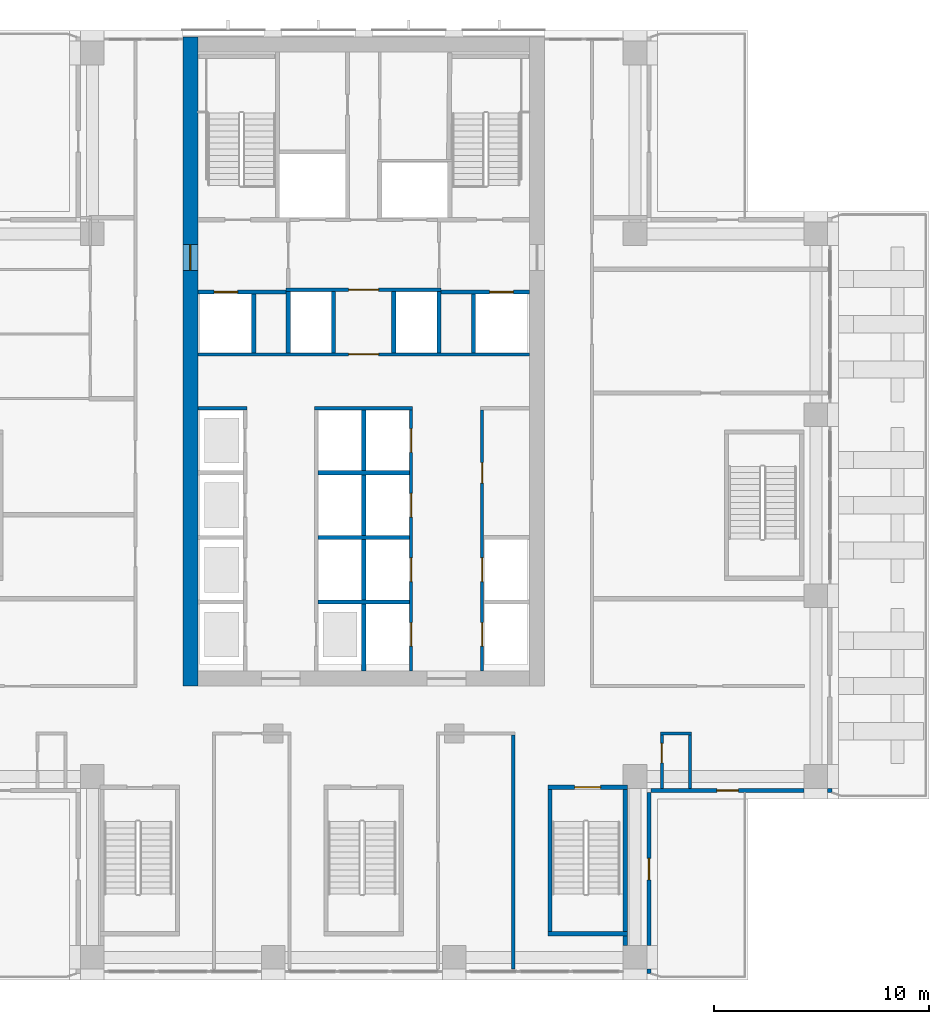
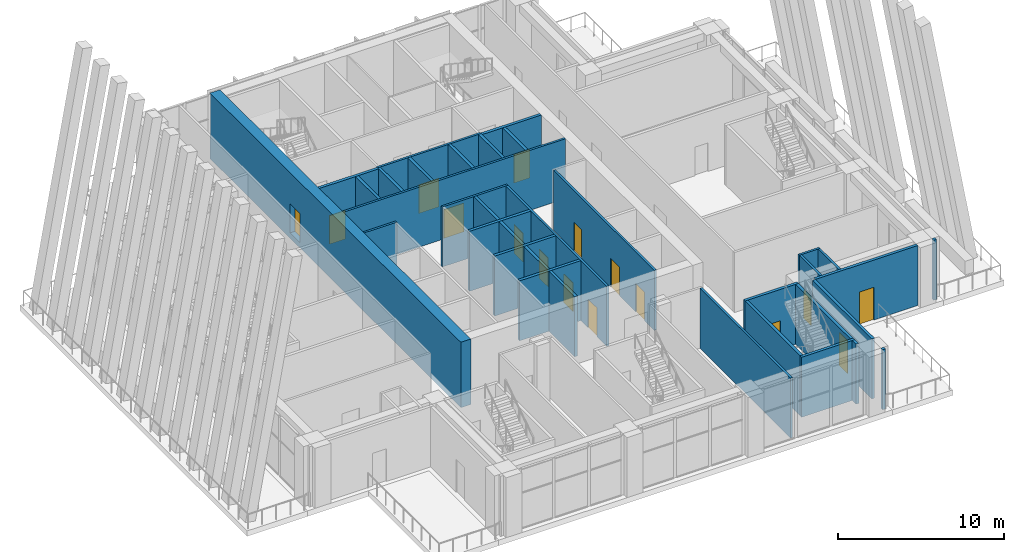
# One storey, part 10 of 19: 31 walls, 16 doors, 16 openings.
"""IFC4 building model written with IfcOpenShell, lengths in metres."""

from ifc_helpers import new_model, si_unit, direction, frame, frame_2d, origin, place, context, subcontext, project, spatial, rectangle, extrude, material, layer, layer_set, type_object, element, fill, save


model = new_model("IFC4")

# Units and contexts
model_context = context("Model", 3, precision=1e-05, world=origin(), true_north=direction((0.0, 1.0)))
body_context = subcontext(model_context, "Body", "Model", "MODEL_VIEW")
ifc_project = project(units=[si_unit("LENGTHUNIT", "METRE"), si_unit("AREAUNIT", "SQUARE_METRE"), si_unit("VOLUMEUNIT", "CUBIC_METRE"), si_unit("PLANEANGLEUNIT", "RADIAN"), si_unit("MASSUNIT", "GRAM", prefix="KILO")], contexts=[model_context])

# Site, building, storey
site_placement = place(None, origin())
site = spatial("IfcSite", under=ifc_project, at=site_placement, CompositionType="ELEMENT")
building_placement = place(site_placement, origin())
building = spatial("IfcBuilding", under=site, at=building_placement, Name="Vermilion Ogive Tower", CompositionType="ELEMENT")
storey_placement = place(building_placement, frame((0.0, 0.0, 128.300048828125)))
storey = spatial("IfcBuildingStorey", under=building, at=storey_placement, Name="L32", CompositionType="ELEMENT", Elevation=128.300048828125)

# Walls
ifc_material_1 = material(Name="Gypsum board partition on steel studs", Category="steel")
ifc_layer_1 = layer(ifc_material_1, 0.14990234375)
ifc_layer_set_1 = layer_set([ifc_layer_1], Name="Partition 150 corridor")
wall_type_1 = type_object("IfcWallType", Name="Partition 150 corridor", PredefinedType="PARTITIONING", material=ifc_layer_set_1)
wall_1_placement = place(storey_placement, frame((13.77490234375, -10.60009765625, 0.0), z_axis=(0.0, 0.0, 1.0), x_axis=(1.0, 0.0, 0.0)))
element("IfcWall", 1, at=wall_1_placement, inside=storey, type_object=wall_type_1, Name="L32-FS-W-W004", PredefinedType="PARTITIONING", context=body_context, shape_type="SweptSolid", body=[
    extrude(rectangle(XDim=1.4501953125, YDim=0.14990234375, at=frame_2d((0.72509765625, 0.0))), origin(), (0.0, 0.0, 1.0), 4.39990234375),
])
wall_2_placement = place(storey_placement, frame((6.949951171875, -21.550048828125, 0.0), z_axis=(0.0, 0.0, 1.0), x_axis=(0.0, 1.0, 0.0)))
element("IfcWall", 2, at=wall_2_placement, inside=storey, type_object=wall_type_1, Name="L32-FS-W-W027", PredefinedType="PARTITIONING", context=body_context, shape_type="SweptSolid", body=[
    extrude(rectangle(XDim=10.875, YDim=0.14990234375, at=frame_2d((5.4375, 0.0))), origin(), (0.0, 0.0, 1.0), 4.39990234375),
])

# Wall, opening, door
wall_3_placement = place(storey_placement, frame((13.85009765625, -13.14990234375, 0.0), z_axis=(0.0, 0.0, 1.0), x_axis=(0.0, 1.0, 0.0)))
wall_3 = element("IfcWall", 3, at=wall_3_placement, inside=storey, type_object=wall_type_1, Name="L32-FS-W-W029", PredefinedType="PARTITIONING", context=body_context, shape_type="SweptSolid", body=[
    extrude(rectangle(XDim=2.474853515625, YDim=0.14990234375, at=frame_2d((1.2373046875, 0.0))), origin(), (0.0, 0.0, 1.0), 4.39990234375),
])
opening_1_placement = place(wall_3_placement, frame((1.1875, 0.0, 0.0)))
opening_1 = element("IfcOpeningElement", 4, at=opening_1_placement, cuts=wall_3, Name="Opening L32S018", PredefinedType="OPENING", context=body_context, shape_type="SweptSolid", body=[
    extrude(rectangle(XDim=0.89990234375, YDim=2.10009765625, at=frame_2d((0.449951171875, 1.050048828125))), frame((0.0, 0.0849609375, 0.0), z_axis=(0.0, -1.0, 0.0), x_axis=(1.0, 0.0, 0.0)), (0.0, 0.0, 1.0), 0.169921875),
])
ifc_material_2 = material(Name="Timber door leaf", Category="wood")
door_type_1 = type_object("IfcDoorType", Name="Room door 900 x 2100 FD30", OperationType="SINGLE_SWING_LEFT", PredefinedType="DOOR", material=ifc_material_2)
door_1_placement = place(opening_1_placement, origin())
door_1 = element("IfcDoor", 5, at=door_1_placement, inside=storey, type_object=door_type_1, Name="L32-FS-D-D018", OperationType="SINGLE_SWING_RIGHT", OverallHeight=2.10009765625, OverallWidth=0.89990234375, PredefinedType="DOOR", context=body_context, shape_type="SweptSolid", body=[
    extrude(rectangle(XDim=0.89990234375, YDim=2.10009765625, at=frame_2d((0.449951171875, 1.050048828125))), frame((0.0, 0.02490234375, 0.0), z_axis=(0.0, -1.0, 0.0), x_axis=(1.0, 0.0, 0.0)), (0.0, 0.0, 1.0), 0.050048828125),
])
fill(opening_1, door_1)

# Walls
wall_4_placement = place(storey_placement, frame((15.14990234375, -13.14990234375, 0.0), z_axis=(0.0, 0.0, 1.0), x_axis=(0.0, 1.0, 0.0)))
element("IfcWall", 6, at=wall_4_placement, inside=storey, type_object=wall_type_1, Name="L32-FS-W-W030", PredefinedType="PARTITIONING", context=body_context, shape_type="SweptSolid", body=[
    extrude(rectangle(XDim=2.474853515625, YDim=0.14990234375, at=frame_2d((1.2373046875, 0.0))), origin(), (0.0, 0.0, 1.0), 4.39990234375),
])
wall_5_placement = place(storey_placement, frame((-7.698974609375, 4.5, 0.0), z_axis=(0.0, 0.0, 1.0), x_axis=(1.0, 0.0, 0.0)))
element("IfcWall", 7, at=wall_5_placement, inside=storey, type_object=wall_type_1, Name="L32-CK-W-W009", PredefinedType="PARTITIONING", context=body_context, shape_type="SweptSolid", body=[
    extrude(rectangle(XDim=2.27392578125, YDim=0.14990234375, at=frame_2d((1.136962890625, 0.0))), origin(), (0.0, 0.0, 1.0), 4.39990234375),
])
wall_6_placement = place(storey_placement, frame((-2.27490234375, 4.5, 0.0), z_axis=(0.0, 0.0, 1.0), x_axis=(1.0, 0.0, 0.0)))
element("IfcWall", 8, at=wall_6_placement, inside=storey, type_object=wall_type_1, Name="L32-CK-W-W010", PredefinedType="PARTITIONING", context=body_context, shape_type="SweptSolid", body=[
    extrude(rectangle(XDim=4.5498046875, YDim=0.14990234375, at=frame_2d((2.27490234375, 0.0))), origin(), (0.0, 0.0, 1.0), 4.39990234375),
])

# Wall, opening, door
wall_7_placement = place(storey_placement, frame((-7.698974609375, 7.0, 0.0), z_axis=(0.0, 0.0, 1.0), x_axis=(1.0, 0.0, 0.0)))
wall_7 = element("IfcWall", 9, at=wall_7_placement, inside=storey, type_object=wall_type_1, Name="L32-CK-W-W012", PredefinedType="PARTITIONING", context=body_context, shape_type="SweptSolid", body=[
    extrude(rectangle(XDim=15.39794921875, YDim=0.14990234375, at=frame_2d((7.698974609375, 0.0))), origin(), (0.0, 0.0, 1.0), 4.39990234375),
])
opening_2_placement = place(wall_7_placement, frame((6.9990234375, 0.0, 0.0)))
opening_2 = element("IfcOpeningElement", 10, at=opening_2_placement, cuts=wall_7, Name="Opening DAN003", PredefinedType="OPENING", context=body_context, shape_type="SweptSolid", body=[
    extrude(rectangle(XDim=1.39990234375, YDim=2.10009765625, at=frame_2d((0.699951171875, 1.050048828125))), frame((0.0, 0.0849609375, 0.0), z_axis=(0.0, -1.0, 0.0), x_axis=(1.0, 0.0, 0.0)), (0.0, 0.0, 1.0), 0.169921875),
])
ifc_material_3 = material(Name="Timber door leaf", Category="wood")
door_type_2 = type_object("IfcDoorType", Name="Lobby door 1400 x 2100 FD60S", OperationType="SINGLE_SWING_LEFT", PredefinedType="DOOR", material=ifc_material_3)
door_2_placement = place(opening_2_placement, origin())
door_2 = element("IfcDoor", 11, at=door_2_placement, inside=storey, type_object=door_type_2, Name="L32-CK-D-D017", OperationType="SINGLE_SWING_RIGHT", OverallHeight=2.10009765625, OverallWidth=1.39990234375, PredefinedType="DOOR", context=body_context, shape_type="SweptSolid", body=[
    extrude(rectangle(XDim=1.39990234375, YDim=2.10009765625, at=frame_2d((0.699951171875, 1.050048828125))), frame((0.0, 0.02490234375, 0.0), z_axis=(0.0, -1.0, 0.0), x_axis=(1.0, 0.0, 0.0)), (0.0, 0.0, 1.0), 0.050048828125),
])
fill(opening_2, door_2)

wall_8_placement = place(storey_placement, frame((-3.60009765625, 10.0, 0.0), z_axis=(0.0, 0.0, 1.0), x_axis=(1.0, 0.0, 0.0)))
wall_8 = element("IfcWall", 12, at=wall_8_placement, inside=storey, type_object=wall_type_1, Name="L32-CK-W-W015", PredefinedType="PARTITIONING", context=body_context, shape_type="SweptSolid", body=[
    extrude(rectangle(XDim=7.2001953125, YDim=0.14990234375, at=frame_2d((3.60009765625, 0.0))), origin(), (0.0, 0.0, 1.0), 4.39990234375),
])
opening_3_placement = place(wall_8_placement, frame((2.900146484375, 0.0, 0.0)))
opening_3 = element("IfcOpeningElement", 13, at=opening_3_placement, cuts=wall_8, Name="Opening DAN004", PredefinedType="OPENING", context=body_context, shape_type="SweptSolid", body=[
    extrude(rectangle(XDim=1.39990234375, YDim=2.10009765625, at=frame_2d((0.699951171875, 1.050048828125))), frame((0.0, 0.0849609375, 0.0), z_axis=(0.0, -1.0, 0.0), x_axis=(1.0, 0.0, 0.0)), (0.0, 0.0, 1.0), 0.169921875),
])
door_3_placement = place(opening_3_placement, origin())
door_3 = element("IfcDoor", 14, at=door_3_placement, inside=storey, type_object=door_type_2, Name="L32-CK-D-D018", OperationType="SINGLE_SWING_RIGHT", OverallHeight=2.10009765625, OverallWidth=1.39990234375, PredefinedType="DOOR", context=body_context, shape_type="SweptSolid", body=[
    extrude(rectangle(XDim=1.39990234375, YDim=2.10009765625, at=frame_2d((0.699951171875, 1.050048828125))), frame((0.0, 0.02490234375, 0.0), z_axis=(0.0, -1.0, 0.0), x_axis=(1.0, 0.0, 0.0)), (0.0, 0.0, 1.0), 0.050048828125),
])
fill(opening_3, door_3)

# Wall, openings, doors
wall_9_placement = place(storey_placement, frame((2.199951171875, -7.698974609375, 0.0), z_axis=(0.0, 0.0, 1.0), x_axis=(0.0, 1.0, 0.0)))
wall_9 = element("IfcWall", 15, at=wall_9_placement, inside=storey, type_object=wall_type_1, Name="L32-CK-W-W033", PredefinedType="PARTITIONING", context=body_context, shape_type="SweptSolid", body=[
    extrude(rectangle(XDim=12.1240234375, YDim=0.14990234375, at=frame_2d((6.06201171875, 0.0))), origin(), (0.0, 0.0, 1.0), 4.39990234375),
])
opening_4_placement = place(wall_9_placement, frame((1.14892578125, 0.0, 0.0)))
opening_4 = element("IfcOpeningElement", 16, at=opening_4_placement, cuts=wall_9, Name="Opening DAN021", PredefinedType="OPENING", context=body_context, shape_type="SweptSolid", body=[
    extrude(rectangle(XDim=1.10009765625, YDim=2.10009765625, at=frame_2d((0.550048828125, 1.050048828125))), frame((0.0, 0.0849609375, 0.0), z_axis=(0.0, -1.0, 0.0), x_axis=(1.0, 0.0, 0.0)), (0.0, 0.0, 1.0), 0.169921875),
])
opening_5_placement = place(wall_9_placement, frame((4.14892578125, 0.0, 0.0)))
opening_5 = element("IfcOpeningElement", 17, at=opening_5_placement, cuts=wall_9, Name="Opening DAN022", PredefinedType="OPENING", context=body_context, shape_type="SweptSolid", body=[
    extrude(rectangle(XDim=1.10009765625, YDim=2.10009765625, at=frame_2d((0.550048828125, 1.050048828125))), frame((0.0, 0.0849609375, 0.0), z_axis=(0.0, -1.0, 0.0), x_axis=(1.0, 0.0, 0.0)), (0.0, 0.0, 1.0), 0.169921875),
])
opening_6_placement = place(wall_9_placement, frame((7.14892578125, 0.0, 0.0)))
opening_6 = element("IfcOpeningElement", 18, at=opening_6_placement, cuts=wall_9, Name="Opening DAN023", PredefinedType="OPENING", context=body_context, shape_type="SweptSolid", body=[
    extrude(rectangle(XDim=1.10009765625, YDim=2.10009765625, at=frame_2d((0.550048828125, 1.050048828125))), frame((0.0, 0.0849609375, 0.0), z_axis=(0.0, -1.0, 0.0), x_axis=(1.0, 0.0, 0.0)), (0.0, 0.0, 1.0), 0.169921875),
])
opening_7_placement = place(wall_9_placement, frame((10.14892578125, 0.0, 0.0)))
opening_7 = element("IfcOpeningElement", 19, at=opening_7_placement, cuts=wall_9, Name="Opening DAN024", PredefinedType="OPENING", context=body_context, shape_type="SweptSolid", body=[
    extrude(rectangle(XDim=1.10009765625, YDim=2.10009765625, at=frame_2d((0.550048828125, 1.050048828125))), frame((0.0, 0.0849609375, 0.0), z_axis=(0.0, -1.0, 0.0), x_axis=(1.0, 0.0, 0.0)), (0.0, 0.0, 1.0), 0.169921875),
])
ifc_material_4 = material(Name="Stainless steel", Category="steel")
door_type_3 = type_object("IfcDoorType", Name="Lift landing door 1100 x 2100", OperationType="SLIDING_TO_LEFT", PredefinedType="DOOR", material=ifc_material_4)
door_4_placement = place(opening_4_placement, origin())
door_4 = element("IfcDoor", 20, at=door_4_placement, inside=storey, type_object=door_type_3, Name="L32-CK-D-D006", OperationType="SLIDING_TO_LEFT", OverallHeight=2.10009765625, OverallWidth=1.10009765625, PredefinedType="DOOR", context=body_context, shape_type="SweptSolid", body=[
    extrude(rectangle(XDim=1.10009765625, YDim=2.10009765625, at=frame_2d((0.550048828125, 1.050048828125))), frame((0.0, 0.02490234375, 0.0), z_axis=(0.0, -1.0, 0.0), x_axis=(1.0, 0.0, 0.0)), (0.0, 0.0, 1.0), 0.050048828125),
])
fill(opening_4, door_4)
door_5_placement = place(opening_5_placement, origin())
door_5 = element("IfcDoor", 21, at=door_5_placement, inside=storey, type_object=door_type_3, Name="L32-CK-D-D007", OperationType="SLIDING_TO_LEFT", OverallHeight=2.10009765625, OverallWidth=1.10009765625, PredefinedType="DOOR", context=body_context, shape_type="SweptSolid", body=[
    extrude(rectangle(XDim=1.10009765625, YDim=2.10009765625, at=frame_2d((0.550048828125, 1.050048828125))), frame((0.0, 0.02490234375, 0.0), z_axis=(0.0, -1.0, 0.0), x_axis=(1.0, 0.0, 0.0)), (0.0, 0.0, 1.0), 0.050048828125),
])
fill(opening_5, door_5)
door_6_placement = place(opening_6_placement, origin())
door_6 = element("IfcDoor", 22, at=door_6_placement, inside=storey, type_object=door_type_3, Name="L32-CK-D-D008", OperationType="SLIDING_TO_LEFT", OverallHeight=2.10009765625, OverallWidth=1.10009765625, PredefinedType="DOOR", context=body_context, shape_type="SweptSolid", body=[
    extrude(rectangle(XDim=1.10009765625, YDim=2.10009765625, at=frame_2d((0.550048828125, 1.050048828125))), frame((0.0, 0.02490234375, 0.0), z_axis=(0.0, -1.0, 0.0), x_axis=(1.0, 0.0, 0.0)), (0.0, 0.0, 1.0), 0.050048828125),
])
fill(opening_6, door_6)
door_7_placement = place(opening_7_placement, origin())
door_7 = element("IfcDoor", 23, at=door_7_placement, inside=storey, type_object=door_type_3, Name="L32-CK-D-D009", OperationType="SLIDING_TO_LEFT", OverallHeight=2.10009765625, OverallWidth=1.10009765625, PredefinedType="DOOR", context=body_context, shape_type="SweptSolid", body=[
    extrude(rectangle(XDim=1.10009765625, YDim=2.10009765625, at=frame_2d((0.550048828125, 1.050048828125))), frame((0.0, 0.02490234375, 0.0), z_axis=(0.0, -1.0, 0.0), x_axis=(1.0, 0.0, 0.0)), (0.0, 0.0, 1.0), 0.050048828125),
])
fill(opening_7, door_7)

wall_10_placement = place(storey_placement, frame((5.5, -7.698974609375, 0.0), z_axis=(0.0, 0.0, 1.0), x_axis=(0.0, 1.0, 0.0)))
wall_10 = element("IfcWall", 24, at=wall_10_placement, inside=storey, type_object=wall_type_1, Name="L32-CK-W-W039", PredefinedType="PARTITIONING", context=body_context, shape_type="SweptSolid", body=[
    extrude(rectangle(XDim=12.1240234375, YDim=0.14990234375, at=frame_2d((6.06201171875, 0.0))), origin(), (0.0, 0.0, 1.0), 4.39990234375),
])
opening_8_placement = place(wall_10_placement, frame((1.14892578125, 0.0, 0.0)))
opening_8 = element("IfcOpeningElement", 25, at=opening_8_placement, cuts=wall_10, Name="Opening DAN012", PredefinedType="OPENING", context=body_context, shape_type="SweptSolid", body=[
    extrude(rectangle(XDim=1.10009765625, YDim=2.10009765625, at=frame_2d((0.550048828125, 1.050048828125))), frame((0.0, 0.0849609375, 0.0), z_axis=(0.0, -1.0, 0.0), x_axis=(1.0, 0.0, 0.0)), (0.0, 0.0, 1.0), 0.169921875),
])
opening_9_placement = place(wall_10_placement, frame((4.14892578125, 0.0, 0.0)))
opening_9 = element("IfcOpeningElement", 26, at=opening_9_placement, cuts=wall_10, Name="Opening DAN013", PredefinedType="OPENING", context=body_context, shape_type="SweptSolid", body=[
    extrude(rectangle(XDim=1.10009765625, YDim=2.10009765625, at=frame_2d((0.550048828125, 1.050048828125))), frame((0.0, 0.0849609375, 0.0), z_axis=(0.0, -1.0, 0.0), x_axis=(1.0, 0.0, 0.0)), (0.0, 0.0, 1.0), 0.169921875),
])
opening_10_placement = place(wall_10_placement, frame((8.723876953125, 0.0, 0.0)))
opening_10 = element("IfcOpeningElement", 27, at=opening_10_placement, cuts=wall_10, Name="Opening DAN006", PredefinedType="OPENING", context=body_context, shape_type="SweptSolid", body=[
    extrude(rectangle(XDim=0.949951171875, YDim=2.10009765625, at=frame_2d((0.47509765625, 1.050048828125))), frame((0.0, 0.0849609375, 0.0), z_axis=(0.0, -1.0, 0.0), x_axis=(1.0, 0.0, 0.0)), (0.0, 0.0, 1.0), 0.169921875),
])
door_8_placement = place(opening_8_placement, origin())
door_8 = element("IfcDoor", 28, at=door_8_placement, inside=storey, type_object=door_type_3, Name="L32-CK-D-D010", OperationType="SLIDING_TO_LEFT", OverallHeight=2.10009765625, OverallWidth=1.10009765625, PredefinedType="DOOR", context=body_context, shape_type="SweptSolid", body=[
    extrude(rectangle(XDim=1.10009765625, YDim=2.10009765625, at=frame_2d((0.550048828125, 1.050048828125))), frame((0.0, 0.02490234375, 0.0), z_axis=(0.0, -1.0, 0.0), x_axis=(1.0, 0.0, 0.0)), (0.0, 0.0, 1.0), 0.050048828125),
])
fill(opening_8, door_8)
door_9_placement = place(opening_9_placement, origin())
door_9 = element("IfcDoor", 29, at=door_9_placement, inside=storey, type_object=door_type_3, Name="L32-CK-D-D011", OperationType="SLIDING_TO_LEFT", OverallHeight=2.10009765625, OverallWidth=1.10009765625, PredefinedType="DOOR", context=body_context, shape_type="SweptSolid", body=[
    extrude(rectangle(XDim=1.10009765625, YDim=2.10009765625, at=frame_2d((0.550048828125, 1.050048828125))), frame((0.0, 0.02490234375, 0.0), z_axis=(0.0, -1.0, 0.0), x_axis=(1.0, 0.0, 0.0)), (0.0, 0.0, 1.0), 0.050048828125),
])
fill(opening_9, door_9)
ifc_material_5 = material(Name="Timber door leaf", Category="wood")
door_type_4 = type_object("IfcDoorType", Name="Service door 950 x 2100 FD60", OperationType="SINGLE_SWING_LEFT", PredefinedType="DOOR", material=ifc_material_5)
door_10_placement = place(opening_10_placement, origin())
door_10 = element("IfcDoor", 30, at=door_10_placement, inside=storey, type_object=door_type_4, Name="L32-CK-D-D012", OperationType="SINGLE_SWING_LEFT", OverallHeight=2.10009765625, OverallWidth=0.949951171875, PredefinedType="DOOR", context=body_context, shape_type="SweptSolid", body=[
    extrude(rectangle(XDim=0.949951171875, YDim=2.10009765625, at=frame_2d((0.47509765625, 1.050048828125))), frame((0.0, 0.02490234375, 0.0), z_axis=(0.0, -1.0, 0.0), x_axis=(1.0, 0.0, 0.0)), (0.0, 0.0, 1.0), 0.050048828125),
])
fill(opening_10, door_10)

# Walls
ifc_material_6 = material(Name="Gypsum board partition on steel studs", Category="steel")
ifc_layer_2 = layer(ifc_material_6, 0.199951171875)
ifc_layer_set_2 = layer_set([ifc_layer_2], Name="Partition 200 party")
wall_type_2 = type_object("IfcWallType", Name="Partition 200 party", PredefinedType="PARTITIONING", material=ifc_layer_set_2)
for number, where, z_axis, x_axis, name in (
    (31, (-2.125, -4.5, 0.0), (0.0, 0.0, 1.0), (1.0, 0.0, 0.0), "L32-CK-W-W002"),
    (32, (-2.125, -1.5, 0.0), (0.0, 0.0, 1.0), (1.0, 0.0, 0.0), "L32-CK-W-W005"),
    (33, (-2.125, 1.5, 0.0), (0.0, 0.0, 1.0), (1.0, 0.0, 0.0), "L32-CK-W-W008"),
):
    element("IfcWall", number, at=place(storey_placement, frame(where, z_axis=z_axis, x_axis=x_axis)), inside=storey, type_object=wall_type_2, Name=name, PredefinedType="PARTITIONING", context=body_context, shape_type="SweptSolid", body=[
        extrude(rectangle(XDim=4.25, YDim=0.199951171875, at=frame_2d((2.125, 0.0))), origin(), (0.0, 0.0, 1.0), 4.39990234375),
    ])

# Wall, opening, door
wall_11_placement = place(storey_placement, frame((-7.698974609375, 9.89990234375, 0.0), z_axis=(0.0, 0.0, 1.0), x_axis=(1.0, 0.0, 0.0)))
wall_11 = element("IfcWall", 34, at=wall_11_placement, inside=storey, type_object=wall_type_2, Name="L32-CK-W-W013", PredefinedType="PARTITIONING", context=body_context, shape_type="SweptSolid", body=[
    extrude(rectangle(XDim=4.098876953125, YDim=0.199951171875, at=frame_2d((2.04931640625, 0.0))), origin(), (0.0, 0.0, 1.0), 4.39990234375),
])
opening_11_placement = place(wall_11_placement, frame((0.7490234375, 0.0, 0.0)))
opening_11 = element("IfcOpeningElement", 35, at=opening_11_placement, cuts=wall_11, Name="Opening DAN014", PredefinedType="OPENING", context=body_context, shape_type="SweptSolid", body=[
    extrude(rectangle(XDim=1.10009765625, YDim=2.10009765625, at=frame_2d((0.550048828125, 1.050048828125))), frame((0.0, 0.10986328125, 0.0), z_axis=(0.0, -1.0, 0.0), x_axis=(1.0, 0.0, 0.0)), (0.0, 0.0, 1.0), 0.219970703125),
])
door_11_placement = place(opening_11_placement, origin())
door_11 = element("IfcDoor", 36, at=door_11_placement, inside=storey, type_object=door_type_3, Name="L32-CK-D-D014", OperationType="SLIDING_TO_RIGHT", OverallHeight=2.10009765625, OverallWidth=1.10009765625, PredefinedType="DOOR", context=body_context, shape_type="SweptSolid", body=[
    extrude(rectangle(XDim=1.10009765625, YDim=2.10009765625, at=frame_2d((0.550048828125, 1.050048828125))), frame((0.0, 0.02490234375, 0.0), z_axis=(0.0, -1.0, 0.0), x_axis=(1.0, 0.0, 0.0)), (0.0, 0.0, 1.0), 0.050048828125),
])
fill(opening_11, door_11)

wall_12_placement = place(storey_placement, frame((3.60009765625, 9.89990234375, 0.0), z_axis=(0.0, 0.0, 1.0), x_axis=(1.0, 0.0, 0.0)))
wall_12 = element("IfcWall", 37, at=wall_12_placement, inside=storey, type_object=wall_type_2, Name="L32-CK-W-W014", PredefinedType="PARTITIONING", context=body_context, shape_type="SweptSolid", body=[
    extrude(rectangle(XDim=4.098876953125, YDim=0.199951171875, at=frame_2d((2.04931640625, 0.0))), origin(), (0.0, 0.0, 1.0), 4.39990234375),
])
opening_12_placement = place(wall_12_placement, frame((2.25, 0.0, 0.0)))
opening_12 = element("IfcOpeningElement", 38, at=opening_12_placement, cuts=wall_12, Name="Opening DAN015", PredefinedType="OPENING", context=body_context, shape_type="SweptSolid", body=[
    extrude(rectangle(XDim=1.10009765625, YDim=2.10009765625, at=frame_2d((0.550048828125, 1.050048828125))), frame((0.0, 0.10986328125, 0.0), z_axis=(0.0, -1.0, 0.0), x_axis=(1.0, 0.0, 0.0)), (0.0, 0.0, 1.0), 0.219970703125),
])
door_12_placement = place(opening_12_placement, origin())
door_12 = element("IfcDoor", 39, at=door_12_placement, inside=storey, type_object=door_type_3, Name="L32-CK-D-D016", OperationType="SLIDING_TO_LEFT", OverallHeight=2.10009765625, OverallWidth=1.10009765625, PredefinedType="DOOR", context=body_context, shape_type="SweptSolid", body=[
    extrude(rectangle(XDim=1.10009765625, YDim=2.10009765625, at=frame_2d((0.550048828125, 1.050048828125))), frame((0.0, 0.02490234375, 0.0), z_axis=(0.0, -1.0, 0.0), x_axis=(1.0, 0.0, 0.0)), (0.0, 0.0, 1.0), 0.050048828125),
])
fill(opening_12, door_12)

# Walls
wall_13_placement = place(storey_placement, frame((-5.10009765625, 7.074951171875, 0.0), z_axis=(0.0, 0.0, 1.0), x_axis=(0.0, 1.0, 0.0)))
element("IfcWall", 40, at=wall_13_placement, inside=storey, type_object=wall_type_2, Name="L32-CK-W-W022", PredefinedType="PARTITIONING", context=body_context, shape_type="SweptSolid", body=[
    extrude(rectangle(XDim=2.72509765625, YDim=0.199951171875, at=frame_2d((1.362548828125, 0.0))), origin(), (0.0, 0.0, 1.0), 4.39990234375),
])
for number, where, z_axis, x_axis, name in (
    (41, (-3.5, 7.074951171875, 0.0), (0.0, 0.0, 1.0), (0.0, 1.0, 0.0), "L32-CK-W-W024"),
    (42, (-1.39990234375, 7.074951171875, 0.0), (0.0, 0.0, 1.0), (0.0, 1.0, 0.0), "L32-CK-W-W027"),
):
    element("IfcWall", number, at=place(storey_placement, frame(where, z_axis=z_axis, x_axis=x_axis)), inside=storey, type_object=wall_type_2, Name=name, PredefinedType="PARTITIONING", context=body_context, shape_type="SweptSolid", body=[
        extrude(rectangle(XDim=2.85009765625, YDim=0.199951171875, at=frame_2d((1.425048828125, 0.0))), origin(), (0.0, 0.0, 1.0), 4.39990234375),
    ])
wall_14_placement = place(storey_placement, frame((0.0, -7.698974609375, 0.0), z_axis=(0.0, 0.0, 1.0), x_axis=(0.0, 1.0, 0.0)))
element("IfcWall", 43, at=wall_14_placement, inside=storey, type_object=wall_type_2, Name="L32-CK-W-W029", PredefinedType="PARTITIONING", context=body_context, shape_type="SweptSolid", body=[
    extrude(rectangle(XDim=12.1240234375, YDim=0.199951171875, at=frame_2d((6.06201171875, 0.0))), origin(), (0.0, 0.0, 1.0), 4.39990234375),
])
for number, where, z_axis, x_axis, name in (
    (44, (1.39990234375, 7.074951171875, 0.0), (0.0, 0.0, 1.0), (0.0, 1.0, 0.0), "L32-CK-W-W032"),
    (45, (3.5, 7.074951171875, 0.0), (0.0, 0.0, 1.0), (0.0, 1.0, 0.0), "L32-CK-W-W034"),
):
    element("IfcWall", number, at=place(storey_placement, frame(where, z_axis=z_axis, x_axis=x_axis)), inside=storey, type_object=wall_type_2, Name=name, PredefinedType="PARTITIONING", context=body_context, shape_type="SweptSolid", body=[
        extrude(rectangle(XDim=2.85009765625, YDim=0.199951171875, at=frame_2d((1.425048828125, 0.0))), origin(), (0.0, 0.0, 1.0), 4.39990234375),
    ])
wall_15_placement = place(storey_placement, frame((5.10009765625, 7.074951171875, 0.0), z_axis=(0.0, 0.0, 1.0), x_axis=(0.0, 1.0, 0.0)))
element("IfcWall", 46, at=wall_15_placement, inside=storey, type_object=wall_type_2, Name="L32-CK-W-W038", PredefinedType="PARTITIONING", context=body_context, shape_type="SweptSolid", body=[
    extrude(rectangle(XDim=2.72509765625, YDim=0.199951171875, at=frame_2d((1.362548828125, 0.0))), origin(), (0.0, 0.0, 1.0), 4.39990234375),
])

# Wall, opening, door
ifc_material_7 = material(Name="Concrete B60", Category="concrete")
ifc_layer_3 = layer(ifc_material_7, 0.199951171875)
ifc_layer_set_3 = layer_set([ifc_layer_3], Name="Stair shaft wall 200 Concrete B60")
wall_type_3 = type_object("IfcWallType", Name="Stair shaft wall 200 Concrete B60", PredefinedType="SOLIDWALL", material=ifc_layer_set_3)
wall_16_placement = place(storey_placement, frame((-8.050048828125, -8.39990234375, -0.400146484375), z_axis=(0.0, 0.0, 1.0), x_axis=(0.0, 1.0, 0.0)))
wall_16 = element("IfcWall", 47, at=wall_16_placement, inside=storey, type_object=wall_type_3, Name="L32-CORE-W", PredefinedType="SOLIDWALL", context=body_context, shape_type="SweptSolid", body=[
    extrude(rectangle(XDim=30.14990234375, YDim=0.699951171875, at=frame_2d((15.074951171875, 0.0))), origin(), (0.0, 0.0, 1.0), 4.800048828125),
])
opening_13_placement = place(wall_16_placement, frame((19.300048828125, 0.0, 0.39990234375)))
opening_13 = element("IfcOpeningElement", 48, at=opening_13_placement, cuts=wall_16, Name="Opening DCC001", PredefinedType="OPENING", context=body_context, shape_type="SweptSolid", body=[
    extrude(rectangle(XDim=1.199951171875, YDim=2.10009765625, at=frame_2d((0.60009765625, 1.050048828125))), frame((0.0, 0.35986328125, 0.0), z_axis=(0.0, -1.0, 0.0), x_axis=(1.0, 0.0, 0.0)), (0.0, 0.0, 1.0), 0.719970703125),
])
ifc_material_8 = material(Name="Timber door leaf", Category="wood")
door_type_5 = type_object("IfcDoorType", Name="Link door 1200 x 2100 FD60S", OperationType="SINGLE_SWING_LEFT", PredefinedType="DOOR", material=ifc_material_8)
door_13_placement = place(opening_13_placement, origin())
door_13 = element("IfcDoor", 49, at=door_13_placement, inside=storey, type_object=door_type_5, Name="L32-CK-XD3", OperationType="SINGLE_SWING_LEFT", OverallHeight=2.10009765625, OverallWidth=1.199951171875, PredefinedType="DOOR", context=body_context, shape_type="SweptSolid", body=[
    extrude(rectangle(XDim=1.199951171875, YDim=2.10009765625, at=frame_2d((0.60009765625, 1.050048828125))), frame((0.0, 0.02490234375, 0.0), z_axis=(0.0, -1.0, 0.0), x_axis=(1.0, 0.0, 0.0)), (0.0, 0.0, 1.0), 0.050048828125),
])
fill(opening_13, door_13)

# Wall
wall_17_placement = place(storey_placement, frame((8.550048828125, -19.89990234375, 0.0), z_axis=(0.0, 0.0, 1.0), x_axis=(1.0, 0.0, 0.0)))
element("IfcWall", 50, at=wall_17_placement, inside=storey, type_object=wall_type_3, Name="L32-SW-ST5-S1", PredefinedType="SOLIDWALL", context=body_context, shape_type="SweptSolid", body=[
    extrude(rectangle(XDim=3.699951171875, YDim=0.199951171875, at=frame_2d((1.85009765625, 0.0))), origin(), (0.0, 0.0, 1.0), 4.39990234375),
])

# Wall, opening, door
wall_18_placement = place(storey_placement, frame((8.550048828125, -13.10009765625, 0.0), z_axis=(0.0, 0.0, 1.0), x_axis=(1.0, 0.0, 0.0)))
wall_18 = element("IfcWall", 51, at=wall_18_placement, inside=storey, type_object=wall_type_3, Name="L32-SW-ST5-N1", PredefinedType="SOLIDWALL", context=body_context, shape_type="SweptSolid", body=[
    extrude(rectangle(XDim=3.699951171875, YDim=0.199951171875, at=frame_2d((1.85009765625, 0.0))), origin(), (0.0, 0.0, 1.0), 4.39990234375),
])
opening_14_placement = place(wall_18_placement, frame((1.25, 0.0, 0.0)))
opening_14 = element("IfcOpeningElement", 52, at=opening_14_placement, cuts=wall_18, Name="Opening L32-SD5", PredefinedType="OPENING", context=body_context, shape_type="SweptSolid", body=[
    extrude(rectangle(XDim=1.199951171875, YDim=2.10009765625, at=frame_2d((0.60009765625, 1.050048828125))), frame((0.0, 0.10986328125, 0.0), z_axis=(0.0, -1.0, 0.0), x_axis=(1.0, 0.0, 0.0)), (0.0, 0.0, 1.0), 0.219970703125),
])
ifc_material_9 = material(Name="Timber door leaf", Category="wood")
door_type_6 = type_object("IfcDoorType", Name="Stair door 1200 x 2100 FD60S", OperationType="SINGLE_SWING_LEFT", PredefinedType="DOOR", material=ifc_material_9)
door_14_placement = place(opening_14_placement, origin())
door_14 = element("IfcDoor", 53, at=door_14_placement, inside=storey, type_object=door_type_6, Name="Stair door ST5", OperationType="SINGLE_SWING_LEFT", OverallHeight=2.10009765625, OverallWidth=1.199951171875, PredefinedType="DOOR", context=body_context, shape_type="SweptSolid", body=[
    extrude(rectangle(XDim=1.199951171875, YDim=2.10009765625, at=frame_2d((0.60009765625, 1.050048828125))), frame((0.0, 0.02490234375, 0.0), z_axis=(0.0, -1.0, 0.0), x_axis=(1.0, 0.0, 0.0)), (0.0, 0.0, 1.0), 0.050048828125),
])
fill(opening_14, door_14)

# Walls
wall_19_placement = place(storey_placement, frame((8.64990234375, -19.800048828125, 0.0), z_axis=(0.0, 0.0, 1.0), x_axis=(0.0, 1.0, 0.0)))
element("IfcWall", 54, at=wall_19_placement, inside=storey, type_object=wall_type_3, Name="L32-SW-ST5-W1", PredefinedType="SOLIDWALL", context=body_context, shape_type="SweptSolid", body=[
    extrude(rectangle(XDim=6.60009765625, YDim=0.199951171875, at=frame_2d((3.300048828125, 0.0))), origin(), (0.0, 0.0, 1.0), 4.39990234375),
])
wall_20_placement = place(storey_placement, frame((12.14990234375, -20.449951171875, 0.0), z_axis=(0.0, 0.0, 1.0), x_axis=(0.0, 1.0, 0.0)))
element("IfcWall", 55, at=wall_20_placement, inside=storey, type_object=wall_type_3, Name="L32-SW-ST5-E1", PredefinedType="SOLIDWALL", context=body_context, shape_type="SweptSolid", body=[
    extrude(rectangle(XDim=7.300048828125, YDim=0.199951171875, at=frame_2d((3.64990234375, 0.0))), origin(), (0.0, 0.0, 1.0), 4.39990234375),
])
ifc_material_10 = material(Name="Aluminium window wall framing", Category="aluminium")
ifc_layer_4 = layer(ifc_material_10, 0.199951171875)
ifc_layer_set_4 = layer_set([ifc_layer_4], Name="Window wall")
wall_type_4 = type_object("IfcWallType", Name="Window wall", PredefinedType="STANDARD", material=ifc_layer_set_4)
wall_21_placement = place(storey_placement, frame((13.14990234375, -21.64990234375, 0.0), z_axis=(0.0, 0.0, 1.0), x_axis=(1.0, 0.0, 0.0)))
element("IfcWall", 56, at=wall_21_placement, inside=storey, type_object=wall_type_4, Name="Window wall S4", PredefinedType="STANDARD", context=body_context, shape_type="SweptSolid", body=[
    extrude(rectangle(XDim=0.2001953125, YDim=0.199951171875, at=frame_2d((0.10009765625, 0.0))), origin(), (0.0, 0.0, 1.0), 4.39990234375),
])

# Wall, opening, door
wall_22_placement = place(storey_placement, frame((13.25, -20.449951171875, 0.0), z_axis=(0.0, 0.0, 1.0), x_axis=(0.0, 1.0, 0.0)))
wall_22 = element("IfcWall", 57, at=wall_22_placement, inside=storey, type_object=wall_type_4, Name="Window wall X11", PredefinedType="STANDARD", context=body_context, shape_type="SweptSolid", body=[
    extrude(rectangle(XDim=7.099853515625, YDim=0.199951171875, at=frame_2d((3.5498046875, 0.0))), origin(), (0.0, 0.0, 1.0), 4.39990234375),
])
opening_15_placement = place(wall_22_placement, frame((3.050048828125, 0.0, 0.0)))
opening_15 = element("IfcOpeningElement", 58, at=opening_15_placement, cuts=wall_22, Name="Opening D1-X1X", PredefinedType="OPENING", context=body_context, shape_type="SweptSolid", body=[
    extrude(rectangle(XDim=1.0, YDim=2.39990234375, at=frame_2d((0.5, 1.199951171875))), frame((0.0, 0.10986328125, 0.0), z_axis=(0.0, -1.0, 0.0), x_axis=(1.0, 0.0, 0.0)), (0.0, 0.0, 1.0), 0.219970703125),
])
ifc_material_11 = material(Name="Aluminium framed glazed door", Category="aluminium")
door_type_7 = type_object("IfcDoorType", Name="Balcony door D1", OperationType="SINGLE_SWING_LEFT", PredefinedType="DOOR", material=ifc_material_11)
door_15_placement = place(opening_15_placement, origin())
door_15 = element("IfcDoor", 59, at=door_15_placement, inside=storey, type_object=door_type_7, Name="Terrace door X1X", OperationType="SINGLE_SWING_LEFT", OverallHeight=2.39990234375, OverallWidth=1.0, PredefinedType="DOOR", context=body_context, shape_type="SweptSolid", body=[
    extrude(rectangle(XDim=1.0, YDim=2.39990234375, at=frame_2d((0.5, 1.199951171875))), frame((0.0, 0.02490234375, 0.0), z_axis=(0.0, -1.0, 0.0), x_axis=(1.0, 0.0, 0.0)), (0.0, 0.0, 1.0), 0.050048828125),
])
fill(opening_15, door_15)

wall_23_placement = place(storey_placement, frame((13.35009765625, -13.25, 0.0), z_axis=(0.0, 0.0, 1.0), x_axis=(1.0, 0.0, 0.0)))
wall_23 = element("IfcWall", 60, at=wall_23_placement, inside=storey, type_object=wall_type_4, Name="Window wall X21", PredefinedType="STANDARD", context=body_context, shape_type="SweptSolid", body=[
    extrude(rectangle(XDim=7.099853515625, YDim=0.199951171875, at=frame_2d((3.5498046875, 0.0))), origin(), (0.0, 0.0, 1.0), 4.39990234375),
])
opening_16_placement = place(wall_23_placement, frame((3.050048828125, 0.0, 0.0)))
opening_16 = element("IfcOpeningElement", 61, at=opening_16_placement, cuts=wall_23, Name="Opening D1-X2X", PredefinedType="OPENING", context=body_context, shape_type="SweptSolid", body=[
    extrude(rectangle(XDim=1.0, YDim=2.39990234375, at=frame_2d((0.5, 1.199951171875))), frame((0.0, 0.10986328125, 0.0), z_axis=(0.0, -1.0, 0.0), x_axis=(1.0, 0.0, 0.0)), (0.0, 0.0, 1.0), 0.219970703125),
])
door_16_placement = place(opening_16_placement, origin())
door_16 = element("IfcDoor", 62, at=door_16_placement, inside=storey, type_object=door_type_7, Name="Terrace door X2X", OperationType="SINGLE_SWING_LEFT", OverallHeight=2.39990234375, OverallWidth=1.0, PredefinedType="DOOR", context=body_context, shape_type="SweptSolid", body=[
    extrude(rectangle(XDim=1.0, YDim=2.39990234375, at=frame_2d((0.5, 1.199951171875))), frame((0.0, 0.02490234375, 0.0), z_axis=(0.0, -1.0, 0.0), x_axis=(1.0, 0.0, 0.0)), (0.0, 0.0, 1.0), 0.050048828125),
])
fill(opening_16, door_16)

# Wall
wall_24_placement = place(storey_placement, frame((21.550048828125, -13.25, 0.0), z_axis=(0.0, 0.0, 1.0), x_axis=(1.0, 0.0, 0.0)))
element("IfcWall", 63, at=wall_24_placement, inside=storey, type_object=wall_type_4, Name="Window wall X22", PredefinedType="STANDARD", context=body_context, shape_type="SweptSolid", body=[
    extrude(rectangle(XDim=0.199951171875, YDim=0.199951171875, at=frame_2d((0.10009765625, 0.0))), origin(), (0.0, 0.0, 1.0), 4.39990234375),
])

save(model, "model.ifc")
